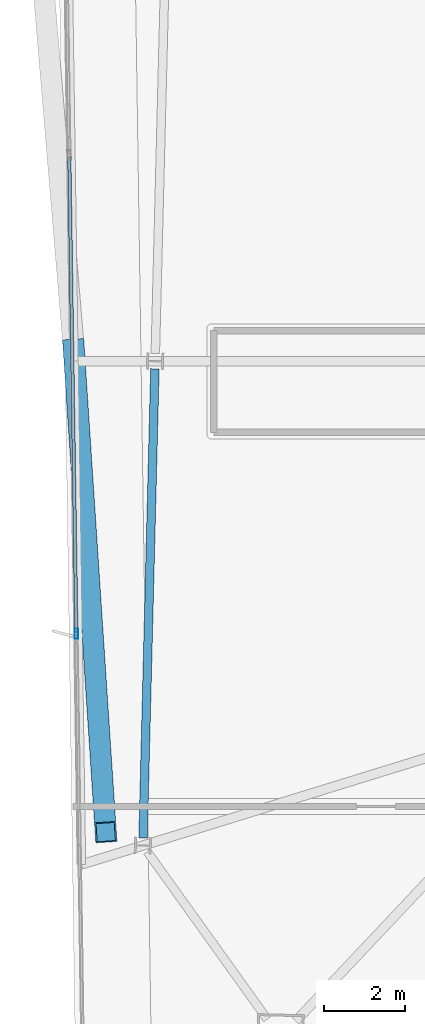
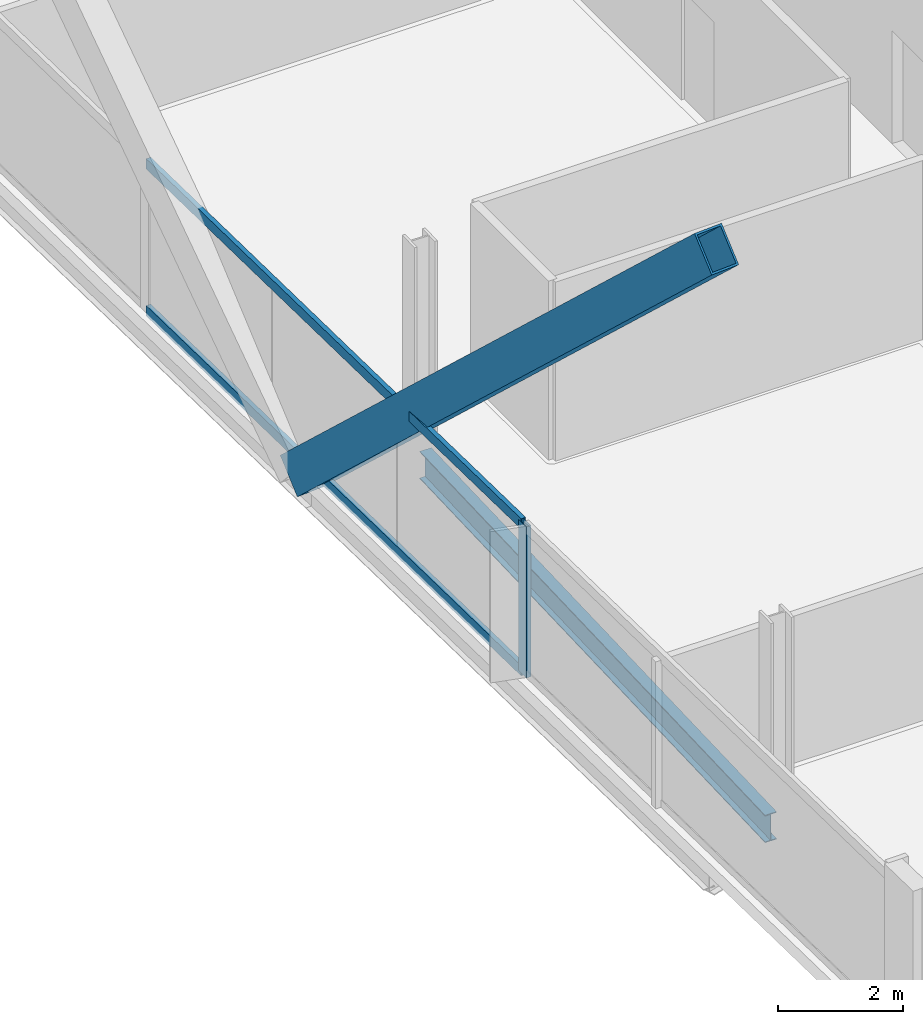
# One storey, part 7 of 25: 4 members, 1 beam, 1 element without a shape of its own.
"""IFC4 building model written with IfcOpenShell, lengths in metres."""

from ifc_helpers import new_model, si_unit, direction, frame, origin, origin_2d, place, context, subcontext, project, spatial, hollow_rectangle, i_section, extrude, material, material_profile, profile_set, type_object, element, aggregate, save


model = new_model("IFC4")

# Units and contexts
model_context = context("Model", 3, precision=1e-05, world=origin(), true_north=direction((0.0, 1.0)))
body_context = subcontext(model_context, "Body", "Model", "MODEL_VIEW")
ifc_project = project(units=[si_unit("LENGTHUNIT", "METRE"), si_unit("AREAUNIT", "SQUARE_METRE"), si_unit("VOLUMEUNIT", "CUBIC_METRE"), si_unit("PLANEANGLEUNIT", "RADIAN"), si_unit("MASSUNIT", "GRAM", prefix="KILO")], contexts=[model_context])

# Site, building, storey
site_placement = place(None, origin())
site = spatial("IfcSite", under=ifc_project, at=site_placement, CompositionType="ELEMENT")
building_placement = place(site_placement, origin())
building = spatial("IfcBuilding", under=site, at=building_placement, Name="Haldenkirk Collegiate Tower", CompositionType="ELEMENT")
storey_placement = place(building_placement, frame((0.0, 0.0, 332.699951171875)))
storey = spatial("IfcBuildingStorey", under=building, at=storey_placement, Name="L84", CompositionType="ELEMENT", Elevation=332.699951171875)

# Beam
ifc_material_1 = material(Name="Steel ASTM A992 Grade 50", Category="steel")
ifc_material_profile_1 = material_profile(ifc_material_1, i_section(OverallWidth=0.2099609375, OverallDepth=0.537109375, WebThickness=0.010986328125, FlangeThickness=0.017333984375, at=origin_2d()), Name="W21X68")
ifc_profile_set_1 = profile_set([ifc_material_profile_1], Name="Steel ASTM A992 Grade 50")
beam_type = type_object("IfcBeamType", Name="BM-SPANDREL-W21X68", PredefinedType="SPANDREL", material=ifc_profile_set_1)
beam_placement = place(storey_placement, frame((16.25146484375, 26.31201171875, -0.528564453125), z_axis=(-0.02528078186, -0.999680389959, 0.0), x_axis=(0.999680389959, -0.02528078186, 0.0)))
element("IfcBeam", 1, at=beam_placement, inside=storey, type_object=beam_type, Name="L84 perimeter spandrel beam 11", PredefinedType="SPANDREL", context=body_context, shape_type="SweptSolid", body=[
    extrude(i_section(OverallWidth=0.2099609375, OverallDepth=0.537109375, WebThickness=0.010986328125, FlangeThickness=0.017333984375, at=origin_2d()), origin(), (0.0, 0.0, 1.0), 11.540283203125),
])

# Curtain wall, members
ifc_material_2 = material(Name="Anodised architectural bronze aluminium", Category="aluminium")
curtain_wall_type = type_object("IfcCurtainWallType", Name="CW-SYS1B-CONVEX-HI", PredefinedType="USERDEFINED", material=ifc_material_2)
curtain_wall_placement = place(storey_placement, origin())
curtain_wall = element("IfcCurtainWall", 2, at=curtain_wall_placement, inside=storey, type_object=curtain_wall_type, Name="L84 Upper tower high-wind convex bronze unitised curtain wall", ObjectType="UNITISED CURTAIN WALL", PredefinedType="USERDEFINED")
ifc_material_profile_2 = material_profile(ifc_material_2, hollow_rectangle(XDim=0.0849609375, YDim=0.25, WallThickness=0.0048828125, at=origin_2d()), Name="CW-MUL-1B")
ifc_profile_set_2 = profile_set([ifc_material_profile_2], Name="Anodised architectural bronze aluminium")
member_type_1 = type_object("IfcMemberType", Name="CW-MUL-1B", PredefinedType="MULLION", material=ifc_profile_set_2)
member_1_placement = place(storey_placement, frame((14.319580078125, 19.79443359375, 0.0), z_axis=(0.0, 0.0, 1.0), x_axis=(-0.99988998696, -0.014832868138, 0.0)))
member_1 = element("IfcMember", 3, at=member_1_placement, type_object=member_type_1, Name="CW-1B mullion 2", PredefinedType="MULLION", context=body_context, shape_type="SweptSolid", body=[
    extrude(hollow_rectangle(XDim=0.0849609375, YDim=0.25, WallThickness=0.0048828125, at=origin_2d()), origin(), (0.0, 0.0, 1.0), 2.947998046875),
])
ifc_material_profile_3 = material_profile(ifc_material_2, hollow_rectangle(XDim=0.0849609375, YDim=0.199951171875, WallThickness=0.0048828125, at=origin_2d()), Name="CW-TRN-1B")
ifc_profile_set_3 = profile_set([ifc_material_profile_3], Name="Anodised architectural bronze aluminium")
member_type_2 = type_object("IfcMemberType", Name="CW-TRN-1B", PredefinedType="USERDEFINED", material=ifc_profile_set_3)
member_2_placement = place(storey_placement, frame((14.319091796875, 19.8369140625, 0.04248046875), z_axis=(-0.014838572636, 0.99988990232, 0.0), x_axis=(-0.99988990232, -0.014838572636, 0.0)))
member_2 = element("IfcMember", 4, at=member_2_placement, type_object=member_type_2, Name="CW-1B transom 2.1", ObjectType="TRANSOM", PredefinedType="USERDEFINED", context=body_context, shape_type="SweptSolid", body=[
    extrude(hollow_rectangle(XDim=0.0849609375, YDim=0.199951171875, WallThickness=0.0048828125, at=origin_2d()), origin(), (0.0, 0.0, 1.0), 11.681640625),
])
member_3_placement = place(storey_placement, frame((14.319091796875, 19.8369140625, 2.905517578125), z_axis=(-0.014838572636, 0.99988990232, 0.0), x_axis=(-0.99988990232, -0.014838572636, 0.0)))
member_3 = element("IfcMember", 5, at=member_3_placement, type_object=member_type_2, Name="CW-1B transom 2.2", ObjectType="TRANSOM", PredefinedType="USERDEFINED", context=body_context, shape_type="SweptSolid", body=[
    extrude(hollow_rectangle(XDim=0.0849609375, YDim=0.199951171875, WallThickness=0.0048828125, at=origin_2d()), origin(), (0.0, 0.0, 1.0), 11.681640625),
])
aggregate(curtain_wall, [member_1, member_2, member_3])

# Member
ifc_material_3 = material(Name="Steel ASTM A572 Grade 50", Category="steel")
ifc_material_profile_4 = material_profile(ifc_material_3, hollow_rectangle(XDim=0.52001953125, YDim=0.719970703125, WallThickness=0.035888671875, at=origin_2d()), Name="BOX720X520X36")
ifc_profile_set_4 = profile_set([ifc_material_profile_4], Name="Steel ASTM A572 Grade 50")
member_type_3 = type_object("IfcMemberType", Name="MBR-MEGABRACE-BOX720X520X36", PredefinedType="BRACE", material=ifc_profile_set_4)
member_4_placement = place(storey_placement, frame((14.255859375, 26.79248046875, -0.27001953125), z_axis=(0.048003661558, -0.72510872501, 0.686959231244), x_axis=(0.997815823182, 0.066057422041, 0.0)))
element("IfcMember", 6, at=member_4_placement, inside=storey, type_object=member_type_3, Name="Perimeter Mega Brace Z6 L84-L86 NR", PredefinedType="BRACE", context=body_context, shape_type="SweptSolid", body=[
    extrude(hollow_rectangle(XDim=0.52001953125, YDim=0.719970703125, WallThickness=0.035888671875, at=origin_2d()), origin(), (0.0, 0.0, 1.0), 16.37646484375),
])

save(model, "model.ifc")
